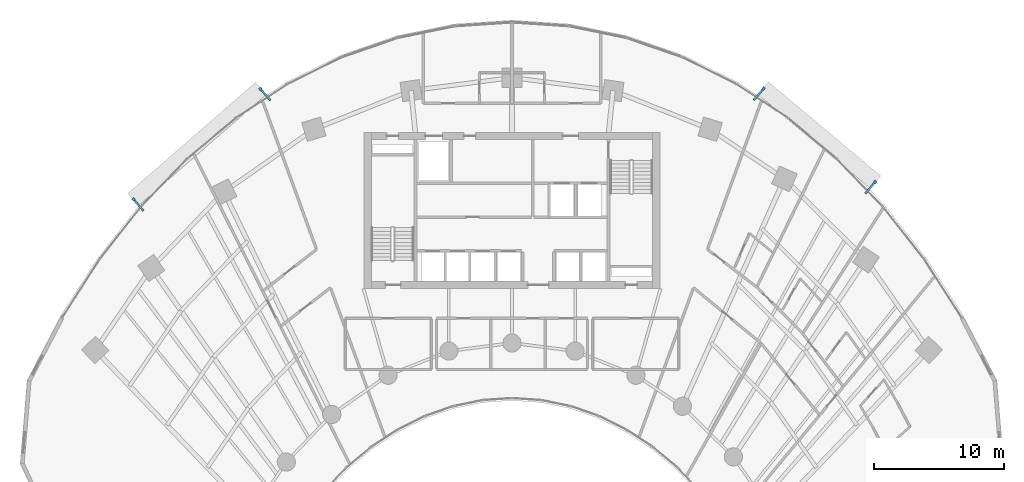
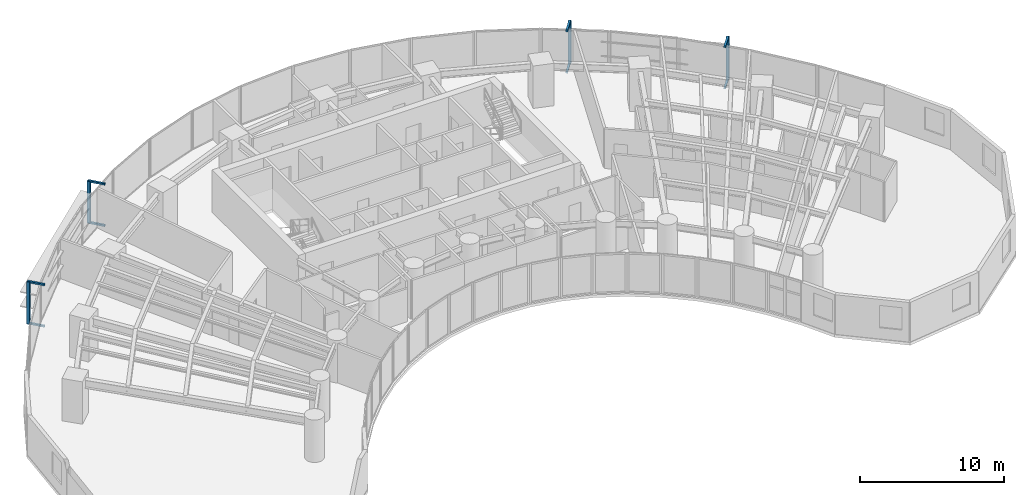
# One storey, part 15 of 17: 12 discrete accessories.
"""IFC4 building model written with IfcOpenShell, lengths in metres."""

from ifc_helpers import new_model, si_unit, direction, frame, origin, origin_2d, place, context, subcontext, project, spatial, rectangle, extrude, source, transform, mapped, material, type_object, type_shapes, element, save


model = new_model("IFC4")

# Units and contexts
model_context = context("Model", 3, precision=1e-05, world=origin(), true_north=direction((0.0, 1.0)))
body_context = subcontext(model_context, "Body", "Model", "MODEL_VIEW")
ifc_project = project(units=[si_unit("LENGTHUNIT", "METRE"), si_unit("AREAUNIT", "SQUARE_METRE"), si_unit("VOLUMEUNIT", "CUBIC_METRE"), si_unit("PLANEANGLEUNIT", "RADIAN"), si_unit("MASSUNIT", "GRAM", prefix="KILO")], contexts=[model_context])

# Site, building, storey
site_placement = place(None, origin())
site = spatial("IfcSite", under=ifc_project, at=site_placement, CompositionType="ELEMENT")
building_placement = place(site_placement, origin())
building = spatial("IfcBuilding", under=site, at=building_placement, Name="Breltana Convention Tower", CompositionType="ELEMENT")
storey_placement = place(building_placement, frame((0.0, 0.0, 64.199951171875)))
storey = spatial("IfcBuildingStorey", under=building, at=storey_placement, Name="L14", CompositionType="ELEMENT", Elevation=64.199951171875)

# Discrete accessories
ifc_material = material(Name="Steel S355", Category="steel")
discrete_accessory_type_1 = type_object("IfcDiscreteAccessoryType", Name="ACC-DSF-BRACKET-150", PredefinedType="BRACKET", material=ifc_material)
shared_shape_1 = source(origin(), body_context, "Body", "SweptSolid", [
    extrude(rectangle(XDim=1.239990234375, YDim=0.14990234375, at=origin_2d()), origin(), (0.0, 0.0, 1.0), 0.139892578125),
])
type_shapes(discrete_accessory_type_1, [shared_shape_1])
for number, where, z_axis, x_axis, name in (
    (1, (19.310791015625, 66.643798828125, -0.15966796875), (0.0, 0.0, 1.0), (-0.656456838663, 0.754363585397, 0.0), "L14 double-skin slab stand-off bracket 1.1B"),
    (2, (19.310791015625, 66.643798828125, 3.35986328125), (0.0, 0.0, 1.0), (-0.656456838663, 0.754363585397, 0.0), "L14 double-skin slab stand-off bracket 1.1T"),
    (3, (29.052978515625, 75.121337890625, -0.15966796875), (0.0, 0.0, 1.0), (-0.656456838663, 0.754363585397, 0.0), "L14 double-skin slab stand-off bracket 1.2B"),
    (4, (29.052978515625, 75.121337890625, 3.35986328125), (0.0, 0.0, 1.0), (-0.656456838663, 0.754363585397, 0.0), "L14 double-skin slab stand-off bracket 1.2T"),
    (5, (66.954833984375, 75.1435546875, -0.15966796875), (0.0, 0.0, 1.0), (0.641990162706, 0.76671287389, 0.0), "L14 double-skin slab stand-off bracket 2.1B"),
    (6, (66.954833984375, 75.1435546875, 3.35986328125), (0.0, 0.0, 1.0), (0.641990162706, 0.76671287389, 0.0), "L14 double-skin slab stand-off bracket 2.1T"),
    (7, (75.516357421875, 67.974853515625, -0.15966796875), (0.0, 0.0, 1.0), (0.641990162706, 0.76671287389, 0.0), "L14 double-skin slab stand-off bracket 2.2B"),
    (8, (75.516357421875, 67.974853515625, 3.35986328125), (0.0, 0.0, 1.0), (0.641990162706, 0.76671287389, 0.0), "L14 double-skin slab stand-off bracket 2.2T"),
):
    element("IfcDiscreteAccessory", number, at=place(storey_placement, frame(where, z_axis=z_axis, x_axis=x_axis)), inside=storey, type_object=discrete_accessory_type_1, Name=name, PredefinedType="BRACKET", context=body_context, shape_type="MappedRepresentation", body=[
        mapped(shared_shape_1, transform((0.0, 0.0, 0.0), scale=1.0)),
    ])
discrete_accessory_type_2 = type_object("IfcDiscreteAccessoryType", Name="ACC-DSF-CARRIER-150", PredefinedType="BRACKET", material=ifc_material)
shared_shape_2 = source(origin(), body_context, "Body", "SweptSolid", [
    extrude(rectangle(XDim=0.219970703125, YDim=0.219970703125, at=origin_2d()), origin(), (0.0, 0.0, 1.0), 3.580078125),
])
for number, where, z_axis, x_axis, name in (
    (9, (18.943115234375, 67.066162109375, -0.119873046875), (0.0, 0.0, 1.0), (-0.656456838663, 0.754363585397, 0.0), "L14 double-skin outer vertical carrier 1.1"),
    (10, (28.685302734375, 75.5439453125, -0.119873046875), (0.0, 0.0, 1.0), (-0.656456838663, 0.754363585397, 0.0), "L14 double-skin outer vertical carrier 1.2"),
    (11, (67.314453125, 75.57275390625, -0.119873046875), (0.0, 0.0, 1.0), (0.641990162706, 0.76671287389, 0.0), "L14 double-skin outer vertical carrier 2.1"),
    (12, (75.875732421875, 68.404052734375, -0.119873046875), (0.0, 0.0, 1.0), (0.641990162706, 0.76671287389, 0.0), "L14 double-skin outer vertical carrier 2.2"),
):
    element("IfcDiscreteAccessory", number, at=place(storey_placement, frame(where, z_axis=z_axis, x_axis=x_axis)), inside=storey, type_object=discrete_accessory_type_2, Name=name, PredefinedType="BRACKET", context=body_context, shape_type="MappedRepresentation", body=[
        mapped(shared_shape_2, transform((0.0, 0.0, 0.0), scale=1.0)),
    ])

save(model, "model.ifc")
